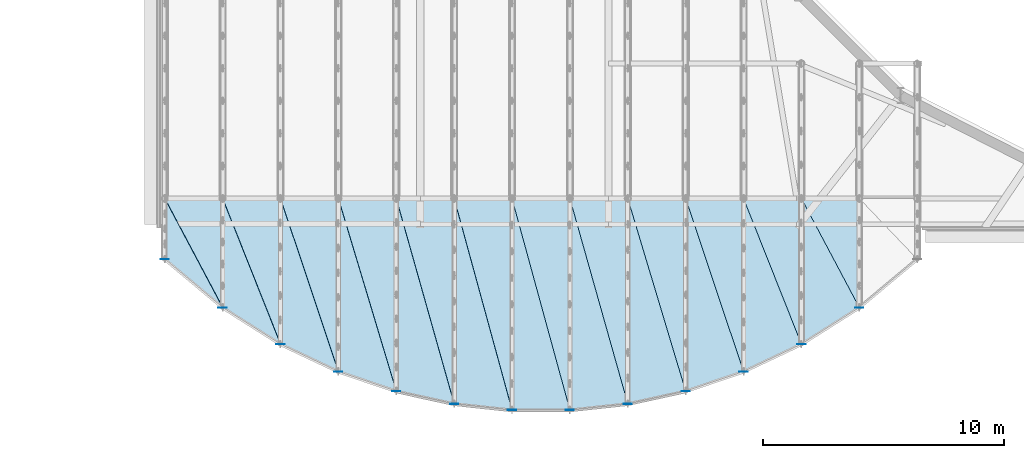
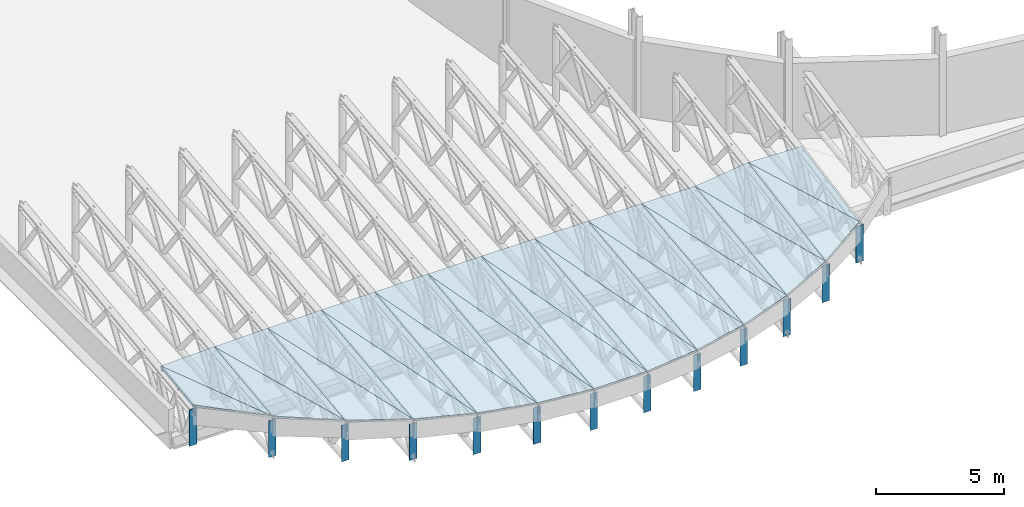
# One storey, part 29 of 58: 24 slabs, 13 plates.
"""IFC4 building model written with IfcOpenShell, lengths in metres."""

from ifc_helpers import new_model, si_unit, direction, frame, origin, origin_2d, place, context, subcontext, project, spatial, polyline, rectangle, outline, extrude, material, layer, layer_set, type_object, element, save


model = new_model("IFC4")

# Units and contexts
model_context = context("Model", 3, precision=1e-05, world=origin(), true_north=direction((0.0, 1.0)))
body_context = subcontext(model_context, "Body", "Model", "MODEL_VIEW")
ifc_project = project(units=[si_unit("LENGTHUNIT", "METRE"), si_unit("AREAUNIT", "SQUARE_METRE"), si_unit("VOLUMEUNIT", "CUBIC_METRE"), si_unit("PLANEANGLEUNIT", "RADIAN"), si_unit("MASSUNIT", "GRAM", prefix="KILO")], contexts=[model_context])

# Site, building, storey
site_placement = place(None, origin())
site = spatial("IfcSite", under=ifc_project, at=site_placement, CompositionType="ELEMENT")
building_placement = place(site_placement, origin())
building = spatial("IfcBuilding", under=site, at=building_placement, Name="Sefraquen Railside Congress Hotel", CompositionType="ELEMENT")
storey_placement = place(building_placement, frame((0.0, 0.0, 16.199951171875)))
storey = spatial("IfcBuildingStorey", under=building, at=storey_placement, Name="L03", CompositionType="ELEMENT", Elevation=16.199951171875)

# Plates
ifc_material_1 = material(Name="Steel S355J2", Category="steel")
ifc_layer_1 = layer(ifc_material_1, 0.013916015625)
ifc_layer_set_1 = layer_set([ifc_layer_1], Name="Steel S355J2")
plate_type = type_object("IfcPlateType", Name="TP-CAP-01", PredefinedType="SHEET", material=ifc_layer_set_1)
for number, where, z_axis, x_axis, name in (
    (1, (22.39990234375, 4.678955078125, 0.12890625), (0.0, 0.0, 1.0), (1.0, 0.0, 0.0), "Canopy truss tip fascia cap plate 01"),
    (2, (24.800048828125, 2.672119140625, -0.03173828125), (0.0, 0.0, 1.0), (1.0, 0.0, 0.0), "Canopy truss tip fascia cap plate 02"),
    (3, (27.199951171875, 1.154052734375, -0.15283203125), (0.0, 0.0, 1.0), (1.0, 0.0, 0.0), "Canopy truss tip fascia cap plate 03"),
    (4, (29.60009765625, 0.02001953125, -0.244140625), (0.0, 0.0, 1.0), (1.0, 0.0, 0.0), "Canopy truss tip fascia cap plate 04"),
    (5, (32.0, -0.7919921875, -0.30908203125), (0.0, 0.0, 1.0), (1.0, 0.0, 0.0), "Canopy truss tip fascia cap plate 05"),
    (6, (34.39990234375, -1.31689453125, -0.35107421875), (0.0, 0.0, 1.0), (1.0, 0.0, 0.0), "Canopy truss tip fascia cap plate 06"),
    (7, (36.800048828125, -1.574951171875, -0.37109375), (0.0, 0.0, 1.0), (1.0, 0.0, 0.0), "Canopy truss tip fascia cap plate 07"),
    (8, (39.199951171875, -1.574951171875, -0.37109375), (0.0, 0.0, 1.0), (1.0, 0.0, 0.0), "Canopy truss tip fascia cap plate 08"),
    (9, (41.60009765625, -1.31689453125, -0.35107421875), (0.0, 0.0, 1.0), (1.0, 0.0, 0.0), "Canopy truss tip fascia cap plate 09"),
    (10, (44.0, -0.7919921875, -0.30908203125), (0.0, 0.0, 1.0), (1.0, 0.0, 0.0), "Canopy truss tip fascia cap plate 10"),
    (11, (46.39990234375, 0.02001953125, -0.244140625), (0.0, 0.0, 1.0), (1.0, 0.0, 0.0), "Canopy truss tip fascia cap plate 11"),
    (12, (48.800048828125, 1.154052734375, -0.15283203125), (0.0, 0.0, 1.0), (1.0, 0.0, 0.0), "Canopy truss tip fascia cap plate 12"),
    (13, (51.199951171875, 2.672119140625, -0.03173828125), (0.0, 0.0, 1.0), (1.0, 0.0, 0.0), "Canopy truss tip fascia cap plate 13"),
):
    element("IfcPlate", number, at=place(storey_placement, frame(where, z_axis=z_axis, x_axis=x_axis)), inside=storey, type_object=plate_type, Name=name, PredefinedType="SHEET", context=body_context, shape_type="SweptSolid", body=[
        extrude(rectangle(XDim=0.340087890625, YDim=0.013916015625, at=origin_2d()), origin(), (0.0, 0.0, 1.0), 1.739990234375),
    ])

# Slabs
ifc_material_2 = material(Name="Concrete C40/50", Category="concrete")
ifc_layer_2 = layer(ifc_material_2, 0.1201171875)
ifc_layer_set_2 = layer_set([ifc_layer_2], Name="Concrete C40/50")
slab_type = type_object("IfcSlabType", Name="TS-CN-120", PredefinedType="ROOF", material=ifc_layer_set_2)
slab_1_placement = place(storey_placement, frame((22.39990234375, 7.199951171875, 2.370361328125), z_axis=(-0.027757636698, -0.120622660933, 0.992310277723), x_axis=(0.999608992378, 0.0, 0.02796180174)))
element("IfcSlab", 14, at=slab_1_placement, inside=storey, type_object=slab_type, Name="Sweeping arrival canopy deck facet 01A", PredefinedType="ROOF", context=body_context, shape_type="SweptSolid", body=[
    extrude(outline(polyline([(0.0, 0.0), (2.4010853270383397, 0.0), (2.3857186239826023, -4.554249261823677), (0.0, 0.0)])), origin(), (0.0, 0.0, -1.0), 0.1201171875),
])
slab_2_placement = place(storey_placement, frame((22.39990234375, 7.199951171875, 2.370361328125), z_axis=(-0.03938822404, -0.126674680073, 0.99116199142), x_axis=(0.466837610099, -0.879350916876, -0.093832887555)))
element("IfcSlab", 15, at=slab_2_placement, inside=storey, type_object=slab_type, Name="Sweeping arrival canopy deck facet 01B", PredefinedType="ROOF", context=body_context, shape_type="SweptSolid", body=[
    extrude(outline(polyline([(0.0, 0.0), (5.141287746434637, -6.938893903907228e-17), (2.2407618337630613, -1.1840552350497884), (0.0, 0.0)])), origin(), (0.0, 0.0, -1.0), 0.1201171875),
])
slab_3_placement = place(storey_placement, frame((24.800048828125, 7.199951171875, 2.4375), z_axis=(-0.016869817425, -0.116938748467, 0.992995840055), x_axis=(0.999855721402, 0.0, 0.016986358644)))
element("IfcSlab", 16, at=slab_3_placement, inside=storey, type_object=slab_type, Name="Sweeping arrival canopy deck facet 02A", PredefinedType="ROOF", context=body_context, shape_type="SweptSolid", body=[
    extrude(outline(polyline([(0.0, 0.0), (2.400248648260193, 0.0), (2.388168261851249, -6.080781961979276), (0.0, 0.0)])), origin(), (0.0, 0.0, -1.0), 0.1201171875),
])
slab_4_placement = place(storey_placement, frame((24.800048828125, 7.199951171875, 2.4375), z_axis=(-0.02633246209, -0.120627313698, 0.992348554002), x_axis=(0.367354314732, -0.924402474995, -0.102620035428)))
element("IfcSlab", 17, at=slab_4_placement, inside=storey, type_object=slab_type, Name="Sweeping arrival canopy deck facet 02B", PredefinedType="ROOF", context=body_context, shape_type="SweptSolid", body=[
    extrude(outline(polyline([(0.0, 0.0), (6.53293631654604, -3.5388358909926865e-16), (4.235615901295217, -1.6736129812711813), (0.0, 0.0)])), origin(), (0.0, 0.0, -1.0), 0.1201171875),
])
slab_5_placement = place(storey_placement, frame((27.199951171875, 7.199951171875, 2.478271484375), z_axis=(-0.010508475716, -0.114617778951, 0.993354084245), x_axis=(0.999944049388, 0.0, 0.010578189516)))
element("IfcSlab", 18, at=slab_5_placement, inside=storey, type_object=slab_type, Name="Sweeping arrival canopy deck facet 03A", PredefinedType="ROOF", context=body_context, shape_type="SweptSolid", body=[
    extrude(outline(polyline([(0.0, 0.0), (2.4002807815536005, 4.336808689942018e-19), (2.3915258834918784, -7.2204366507602495), (0.0, 0.0)])), origin(), (0.0, 0.0, -1.0), 0.1201171875),
])
slab_6_placement = place(storey_placement, frame((27.199951171875, 7.199951171875, 2.478271484375), z_axis=(-0.017564239085, -0.116937349955, 0.992983964468), x_axis=(0.31555180709, -0.943028389006, -0.105472814373)))
element("IfcSlab", 19, at=slab_6_placement, inside=storey, type_object=slab_type, Name="Sweeping arrival canopy deck facet 03B", PredefinedType="ROOF", context=body_context, shape_type="SweptSolid", body=[
    extrude(outline(polyline([(0.0, 0.0), (7.606188367313387, -6.245004513516506e-17), (5.770017709645558, -1.9191015698094114), (0.0, 0.0)])), origin(), (0.0, 0.0, -1.0), 0.1201171875),
])
slab_7_placement = place(storey_placement, frame((29.60009765625, 7.199951171875, 2.503662109375), z_axis=(-0.00687302571, -0.113129225393, 0.993556510662), x_axis=(0.999976074269, 0.0, 0.006917433678)))
element("IfcSlab", 20, at=slab_7_placement, inside=storey, type_object=slab_type, Name="Sweeping arrival canopy deck facet 04A", PredefinedType="ROOF", context=body_context, shape_type="SweptSolid", body=[
    extrude(outline(polyline([(0.0, 0.0), (2.399959764540686, 2.168404344971009e-19), (2.393670574351429, -8.036455049989632), (0.0, 0.0)])), origin(), (0.0, 0.0, -1.0), 0.1201171875),
])
slab_8_placement = place(storey_placement, frame((29.60009765625, 7.199951171875, 2.503662109375), z_axis=(-0.011900785467, -0.114615990666, 0.993338585775), x_axis=(0.286201455505, -0.952238535476, -0.10644481397)))
element("IfcSlab", 21, at=slab_8_placement, inside=storey, type_object=slab_type, Name="Sweeping arrival canopy deck facet 04B", PredefinedType="ROOF", context=body_context, shape_type="SweptSolid", body=[
    extrude(outline(polyline([(0.0, 0.0), (8.385360373234997, -2.0122792321330962e-16), (6.918363303625683, -2.0666473513706887), (0.0, 0.0)])), origin(), (0.0, 0.0, -1.0), 0.1201171875),
])
slab_9_placement = place(storey_placement, frame((32.0, 7.199951171875, 2.520263671875), z_axis=(-0.004144517405, -0.112232603451, 0.993673319405), x_axis=(0.999991301888, 0.0, 0.004170869113)))
element("IfcSlab", 22, at=slab_9_placement, inside=storey, type_object=slab_type, Name="Sweeping arrival canopy deck facet 05A", PredefinedType="ROOF", context=body_context, shape_type="SweptSolid", body=[
    extrude(outline(polyline([(0.0, 0.0), (2.3999232185519213, 2.168404344971009e-19), (2.395914255735388, -8.56411818493443), (0.0, 0.0)])), origin(), (0.0, 0.0, -1.0), 0.1201171875),
])
slab_10_placement = place(storey_placement, frame((32.0, 7.199951171875, 2.520263671875), z_axis=(-0.00737019201, -0.113128824825, 0.99355299268), x_axis=(0.269865777287, -0.956939104669, -0.106957992707)))
element("IfcSlab", 23, at=slab_10_placement, inside=storey, type_object=slab_type, Name="Sweeping arrival canopy deck facet 05B", PredefinedType="ROOF", context=body_context, shape_type="SweptSolid", body=[
    extrude(outline(polyline([(0.0, 0.0), (8.892948071722932, -7.632783294297951e-17), (7.738271953651108, -2.168823758573707), (0.0, 0.0)])), origin(), (0.0, 0.0, -1.0), 0.1201171875),
])
slab_11_placement = place(storey_placement, frame((34.39990234375, 7.199951171875, 2.5302734375), z_axis=(-0.002021632301, -0.11175834026, 0.99373335779), x_axis=(0.999997930653, 0.0, 0.00203437683)))
element("IfcSlab", 24, at=slab_11_placement, inside=storey, type_object=slab_type, Name="Sweeping arrival canopy deck facet 06A", PredefinedType="ROOF", context=body_context, shape_type="SweptSolid", body=[
    extrude(outline(polyline([(0.0, 0.0), (2.400151451120446, 1.0842021724855044e-19), (2.3981453847104666, -8.82334098311678), (0.0, 0.0)])), origin(), (0.0, 0.0, -1.0), 0.1201171875),
])
slab_12_placement = place(storey_placement, frame((34.39990234375, 7.199951171875, 2.5302734375), z_axis=(-0.003778730901, -0.112232766091, 0.99367475937), x_axis=(0.262499362195, -0.958946403608, -0.107312067609)))
element("IfcSlab", 25, at=slab_12_placement, inside=storey, type_object=slab_type, Name="Sweeping arrival canopy deck facet 06B", PredefinedType="ROOF", context=body_context, shape_type="SweptSolid", body=[
    extrude(outline(polyline([(0.0, 0.0), (9.143437394686769, -4.85722573273506e-17), (8.263789648618301, -2.24809185770877), (0.0, 0.0)])), origin(), (0.0, 0.0, -1.0), 0.1201171875),
])
slab_13_placement = place(storey_placement, frame((36.800048828125, 7.199951171875, 2.53515625), z_axis=(0.0, -0.111758568639, 0.993735388489), x_axis=(1.0, 0.0, 0.0)))
element("IfcSlab", 26, at=slab_13_placement, inside=storey, type_object=slab_type, Name="Sweeping arrival canopy deck facet 07A", PredefinedType="ROOF", context=body_context, shape_type="SweptSolid", body=[
    extrude(outline(polyline([(0.0, 0.0), (2.39990234375, 0.0), (2.39990234375, -8.823341211165456), (0.0, 0.0)])), origin(), (0.0, 0.0, -1.0), 0.1201171875),
])
slab_14_placement = place(storey_placement, frame((36.800048828125, 7.199951171875, 2.53515625), z_axis=(0.0, -0.111758568639, 0.993735388489), x_axis=(0.262459422602, -0.958898036963, -0.107840651871)))
element("IfcSlab", 27, at=slab_14_placement, inside=storey, type_object=slab_type, Name="Sweeping arrival canopy deck facet 07B", PredefinedType="ROOF", context=body_context, shape_type="SweptSolid", body=[
    extrude(outline(polyline([(0.0, 0.0), (9.143898588030567, -2.949029909160572e-16), (8.514021604587638, -2.315769039707022), (0.0, 0.0)])), origin(), (0.0, 0.0, -1.0), 0.1201171875),
])
slab_15_placement = place(storey_placement, frame((39.199951171875, 7.199951171875, 2.53515625), z_axis=(0.002021523392, -0.11223333805, 0.99367982332), x_axis=(0.999997930653, 0.0, -0.00203437683)))
element("IfcSlab", 28, at=slab_15_placement, inside=storey, type_object=slab_type, Name="Sweeping arrival canopy deck facet 08A", PredefinedType="ROOF", context=body_context, shape_type="SweptSolid", body=[
    extrude(outline(polyline([(0.0, 0.0), (2.400151451120446, -1.0842021724855044e-19), (2.4021068567792945, -8.564118900020956), (0.0, 0.0)])), origin(), (0.0, 0.0, -1.0), 0.1201171875),
])
slab_16_placement = place(storey_placement, frame((39.199951171875, 7.199951171875, 2.53515625), z_axis=(0.003727215001, -0.111757792354, 0.993728485914), x_axis=(0.269842524223, -0.95675931918, -0.108612233583)))
element("IfcSlab", 29, at=slab_16_placement, inside=storey, type_object=slab_type, Name="Sweeping arrival canopy deck facet 08B", PredefinedType="ROOF", context=body_context, shape_type="SweptSolid", body=[
    extrude(outline(polyline([(0.0, 0.0), (8.894619153459141, -6.591949208711867e-17), (8.496030029408013, -2.3809292026534425), (0.0, 0.0)])), origin(), (0.0, 0.0, -1.0), 0.1201171875),
])
slab_17_placement = place(storey_placement, frame((41.60009765625, 7.199951171875, 2.5302734375), z_axis=(0.004144092505, -0.113130926075, 0.993571446884), x_axis=(0.999991301888, 0.0, -0.004170869113)))
element("IfcSlab", 30, at=slab_17_placement, inside=storey, type_object=slab_type, Name="Sweeping arrival canopy deck facet 09A", PredefinedType="ROOF", context=body_context, shape_type="SweptSolid", body=[
    extrude(outline(polyline([(0.0, 0.0), (2.3999232185519213, -2.168404344971009e-19), (2.4037152880283674, -8.036456616234931), (0.0, 0.0)])), origin(), (0.0, 0.0, -1.0), 0.1201171875),
])
slab_18_placement = place(storey_placement, frame((41.60009765625, 7.199951171875, 2.5302734375), z_axis=(0.007171852638, -0.112230680944, 0.993656298115), x_axis=(0.286103383706, -0.951912234739, -0.109580797523)))
element("IfcSlab", 31, at=slab_18_placement, inside=storey, type_object=slab_type, Name="Sweeping arrival canopy deck facet 09B", PredefinedType="ROOF", context=body_context, shape_type="SweptSolid", body=[
    extrude(outline(polyline([(0.0, 0.0), (8.388234744600767, -1.3530843112619095e-16), (8.206109464392918, -2.4502864762530145), (0.0, 0.0)])), origin(), (0.0, 0.0, -1.0), 0.1201171875),
])
slab_19_placement = place(storey_placement, frame((44.0, 7.199951171875, 2.520263671875), z_axis=(0.006871842589, -0.114621401551, 0.993385480106), x_axis=(0.999976074269, 0.0, -0.006917433678)))
element("IfcSlab", 32, at=slab_19_placement, inside=storey, type_object=slab_type, Name="Sweeping arrival canopy deck facet 10A", PredefinedType="ROOF", context=body_context, shape_type="SweptSolid", body=[
    extrude(outline(polyline([(0.0, 0.0), (2.399959764540686, -2.168404344971009e-19), (2.405684886651745, -7.220439688748794), (0.0, 0.0)])), origin(), (0.0, 0.0, -1.0), 0.1201171875),
])
slab_20_placement = place(storey_placement, frame((44.0, 7.199951171875, 2.520263671875), z_axis=(0.011391368349, -0.113124557093, 0.993515511358), x_axis=(0.315334534702, -0.942474936882, -0.110928466022)))
element("IfcSlab", 33, at=slab_20_placement, inside=storey, type_object=slab_type, Name="Sweeping arrival canopy deck facet 10B", PredefinedType="ROOF", context=body_context, shape_type="SweptSolid", body=[
    extrude(outline(polyline([(0.0, 0.0), (7.6106549700221855, 5.447031714567174e-16), (7.626387425078101, -2.5343370271192645), (0.0, 0.0)])), origin(), (0.0, 0.0, -1.0), 0.1201171875),
])
slab_21_placement = place(storey_placement, frame((46.39990234375, 7.199951171875, 2.503662109375), z_axis=(-0.119173036359, -0.166742615472, 0.97877203045), x_axis=(0.992668942508, 0.0, 0.120865092481)))
element("IfcSlab", 34, at=slab_21_placement, inside=storey, type_object=slab_type, Name="Sweeping arrival canopy deck facet 11A", PredefinedType="ROOF", context=body_context, shape_type="SweptSolid", body=[
    extrude(outline(polyline([(0.0, 0.0), (2.417872043333488, 6.938893903907228e-18), (2.29352499750453, -6.124807002157188), (0.0, 0.0)])), origin(), (0.0, 0.0, -1.0), 0.1201171875),
])
slab_22_placement = place(storey_placement, frame((46.39990234375, 7.199951171875, 2.503662109375), z_axis=(0.016453150897, -0.114608592208, 0.993274465804), x_axis=(0.366986648185, -0.923383351592, -0.112623203903)))
element("IfcSlab", 35, at=slab_22_placement, inside=storey, type_object=slab_type, Name="Sweeping arrival canopy deck facet 11B", PredefinedType="ROOF", context=body_context, shape_type="SweptSolid", body=[
    extrude(outline(polyline([(0.0, 0.0), (6.540146613635804, -5.204170427930421e-17), (6.716502815184506, -2.650164524987189), (0.0, 0.0)])), origin(), (0.0, 0.0, -1.0), 0.1201171875),
])
slab_23_placement = place(storey_placement, frame((48.800048828125, 7.199951171875, 2.7958984375), z_axis=(0.031200450391, -0.180858048708, 0.983014190189), x_axis=(0.999496680013, 0.0, -0.031723597575)))
element("IfcSlab", 36, at=slab_23_placement, inside=storey, type_object=slab_type, Name="Sweeping arrival canopy deck facet 12A", PredefinedType="ROOF", context=body_context, shape_type="SweptSolid", body=[
    extrude(outline(polyline([(0.0, 0.0), (2.401110870842444, -3.469446951953614e-18), (2.4274981503684803, -4.596800973122983), (0.0, 0.0)])), origin(), (0.0, 0.0, -1.0), 0.1201171875),
])
slab_24_placement = place(storey_placement, frame((48.800048828125, 7.199951171875, 2.7958984375), z_axis=(0.056499406033, -0.167671174876, 0.984222634486), x_axis=(0.461662039646, -0.869690503578, -0.174661355589)))
element("IfcSlab", 37, at=slab_24_placement, inside=storey, type_object=slab_type, Name="Sweeping arrival canopy deck facet 12B", PredefinedType="ROOF", context=body_context, shape_type="SweptSolid", body=[
    extrude(outline(polyline([(0.0, 0.0), (5.198396527444476, 2.636779683484747e-16), (5.431808410388953, -2.8326984298205726), (0.0, 0.0)])), origin(), (0.0, 0.0, -1.0), 0.1201171875),
])

save(model, "model.ifc")
